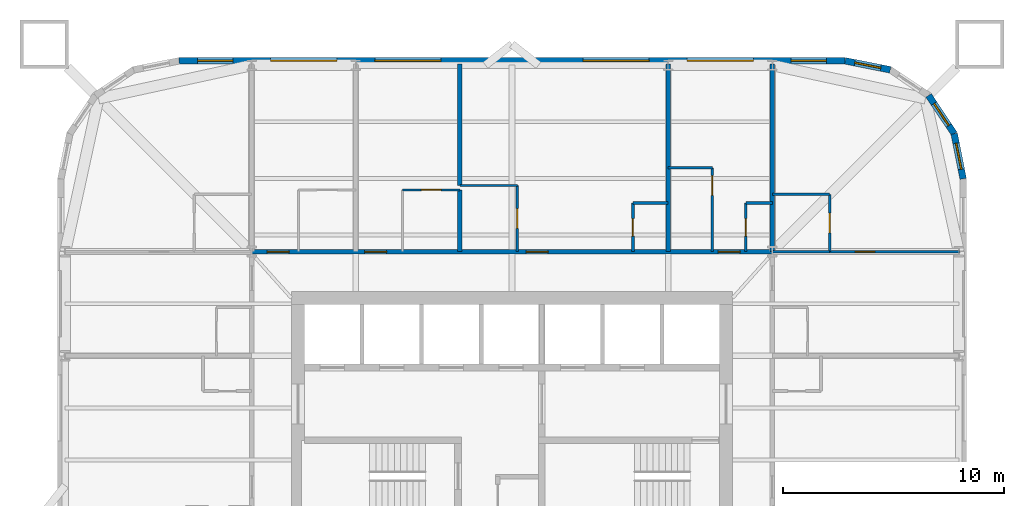
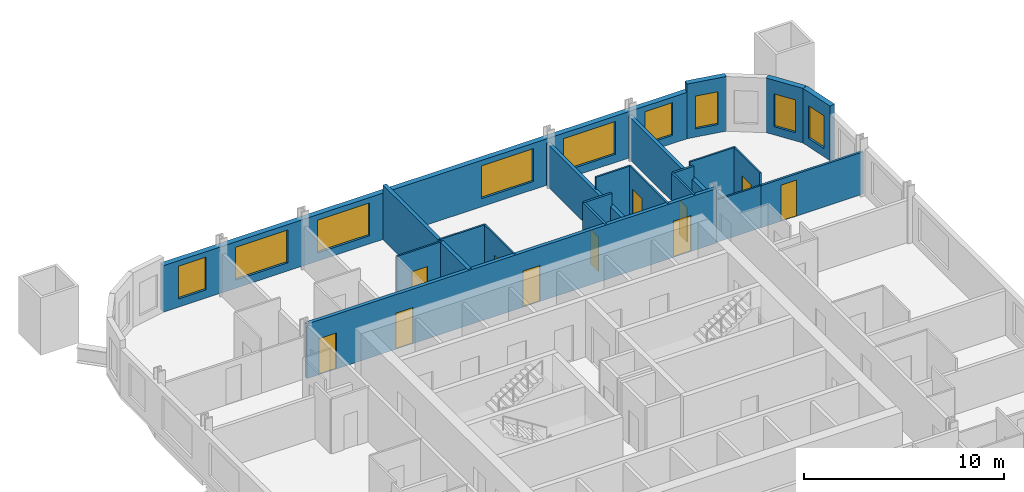
# One storey, part 7 of 9: 22 walls, 11 doors, 9 windows, 20 openings.
"""IFC4 building model written with IfcOpenShell, lengths in metres."""

from ifc_helpers import new_model, si_unit, direction, frame, frame_2d, origin, place, context, subcontext, project, spatial, rectangle, extrude, material, layer, layer_set, type_object, element, fill, save


model = new_model("IFC4")

# Units and contexts
model_context = context("Model", 3, precision=1e-05, world=origin(), true_north=direction((0.0, 1.0)))
body_context = subcontext(model_context, "Body", "Model", "MODEL_VIEW")
ifc_project = project(units=[si_unit("LENGTHUNIT", "METRE"), si_unit("AREAUNIT", "SQUARE_METRE"), si_unit("VOLUMEUNIT", "CUBIC_METRE"), si_unit("PLANEANGLEUNIT", "RADIAN"), si_unit("MASSUNIT", "GRAM", prefix="KILO")], contexts=[model_context])

# Site, building, storey
site_placement = place(None, origin())
site = spatial("IfcSite", under=ifc_project, at=site_placement, CompositionType="ELEMENT")
building_placement = place(site_placement, origin())
building = spatial("IfcBuilding", under=site, at=building_placement, Name="Turquesa Mirador Hotel Tower", CompositionType="ELEMENT")
storey_placement = place(building_placement, frame((0.0, 0.0, 124.89990234375)))
storey = spatial("IfcBuildingStorey", under=building, at=storey_placement, Name="L33", CompositionType="ELEMENT", Elevation=124.89990234375)

# Walls
ifc_material_1 = material(Name="Gypsum board on steel studs", Category="steel")
ifc_layer_1 = layer(ifc_material_1, 0.10009765625)
ifc_layer_set_1 = layer_set([ifc_layer_1], Name="BATHROOM WALL 100")
wall_type_1 = type_object("IfcWallType", Name="BATHROOM WALL 100", PredefinedType="PARTITIONING", material=ifc_layer_set_1)
wall_1_placement = place(storey_placement, frame((66.800048828125, 56.800048828125, 0.0), z_axis=(0.0, 0.0, 1.0), x_axis=(1.0, 0.0, 0.0)))
element("IfcWall", 1, at=wall_1_placement, inside=storey, type_object=wall_type_1, Name="Partition L33 025", PredefinedType="PARTITIONING", context=body_context, shape_type="SweptSolid", body=[
    extrude(rectangle(XDim=2.599853515625, YDim=0.10009765625, at=frame_2d((1.2998046875, 0.0))), origin(), (0.0, 0.0, 1.0), 2.5732421875),
])
wall_2_placement = place(storey_placement, frame((66.800048828125, 59.39990234375, 0.0), z_axis=(0.0, 0.0, 1.0), x_axis=(1.0, 0.0, 0.0)))
element("IfcWall", 2, at=wall_2_placement, inside=storey, type_object=wall_type_1, Name="Partition L33 032", PredefinedType="PARTITIONING", context=body_context, shape_type="SweptSolid", body=[
    extrude(rectangle(XDim=2.599853515625, YDim=0.10009765625, at=frame_2d((1.2998046875, 0.0))), origin(), (0.0, 0.0, 1.0), 3.330078125),
])

# Wall, opening, door
wall_3_placement = place(storey_placement, frame((50.0400390625, 59.60009765625, 0.0), z_axis=(0.0, 0.0, 1.0), x_axis=(1.0, 0.0, 0.0)))
wall_3 = element("IfcWall", 3, at=wall_3_placement, inside=storey, type_object=wall_type_1, Name="Partition L33 034", PredefinedType="PARTITIONING", context=body_context, shape_type="SweptSolid", body=[
    extrude(rectangle(XDim=2.599853515625, YDim=0.10009765625, at=frame_2d((1.2998046875, 0.0))), origin(), (0.0, 0.0, 1.0), 3.330078125),
])
opening_1_placement = place(wall_3_placement, frame((0.85009765625, 0.0, 0.0)))
opening_1 = element("IfcOpeningElement", 4, at=opening_1_placement, cuts=wall_3, Name="Opening D02", PredefinedType="OPENING", context=body_context, shape_type="SweptSolid", body=[
    extrude(rectangle(XDim=0.89990234375, YDim=2.10009765625, at=frame_2d((0.449951171875, 1.050048828125))), frame((0.0, 0.06005859375, 0.0), z_axis=(0.0, -1.0, 0.0), x_axis=(1.0, 0.0, 0.0)), (0.0, 0.0, 1.0), 0.1201171875),
])
ifc_material_2 = material(Name="Timber veneered door", Category="wood")
door_type_1 = type_object("IfcDoorType", Name="DOOR 900X2100 EN-SUITE", OperationType="SINGLE_SWING_RIGHT", PredefinedType="DOOR", material=ifc_material_2)
door_1_placement = place(opening_1_placement, origin())
door_1 = element("IfcDoor", 5, at=door_1_placement, inside=storey, type_object=door_type_1, Name="Door 3302B", OperationType="SINGLE_SWING_RIGHT", OverallHeight=2.10009765625, OverallWidth=0.89990234375, PredefinedType="DOOR", context=body_context, shape_type="SweptSolid", body=[
    extrude(rectangle(XDim=0.89990234375, YDim=2.10009765625, at=frame_2d((0.449951171875, 1.050048828125))), frame((0.0, 0.02490234375, 0.0), z_axis=(0.0, -1.0, 0.0), x_axis=(1.0, 0.0, 0.0)), (0.0, 0.0, 1.0), 0.050048828125),
])
fill(opening_1, door_1)

# Walls
wall_4_placement = place(storey_placement, frame((52.639892578125, 59.800048828125, 0.0), z_axis=(0.0, 0.0, 1.0), x_axis=(1.0, 0.0, 0.0)))
element("IfcWall", 6, at=wall_4_placement, inside=storey, type_object=wall_type_1, Name="Partition L33 035", PredefinedType="PARTITIONING", context=body_context, shape_type="SweptSolid", body=[
    extrude(rectangle(XDim=2.60009765625, YDim=0.10009765625, at=frame_2d((1.300048828125, 0.0))), origin(), (0.0, 0.0, 1.0), 3.330078125),
])
wall_5_placement = place(storey_placement, frame((62.080078125, 60.60009765625, 0.0), z_axis=(0.0, 0.0, 1.0), x_axis=(1.0, 0.0, 0.0)))
element("IfcWall", 7, at=wall_5_placement, inside=storey, type_object=wall_type_1, Name="Partition L33 036", PredefinedType="PARTITIONING", context=body_context, shape_type="SweptSolid", body=[
    extrude(rectangle(XDim=2.0, YDim=0.10009765625, at=frame_2d((1.0, 0.0))), origin(), (0.0, 0.0, 1.0), 3.330078125),
])

# Wall, opening, door
wall_6_placement = place(storey_placement, frame((55.239990234375, 56.800048828125, 0.0), z_axis=(0.0, 0.0, 1.0), x_axis=(0.0, 1.0, 0.0)))
wall_6 = element("IfcWall", 8, at=wall_6_placement, inside=storey, type_object=wall_type_1, Name="Partition L33 063", PredefinedType="PARTITIONING", context=body_context, shape_type="SweptSolid", body=[
    extrude(rectangle(XDim=3.0, YDim=0.10009765625, at=frame_2d((1.5, 0.0))), origin(), (0.0, 0.0, 1.0), 3.330078125),
])
opening_2_placement = place(wall_6_placement, frame((1.050048828125, 0.0, 0.0)))
opening_2 = element("IfcOpeningElement", 9, at=opening_2_placement, cuts=wall_6, Name="Opening D02", PredefinedType="OPENING", context=body_context, shape_type="SweptSolid", body=[
    extrude(rectangle(XDim=0.89990234375, YDim=2.10009765625, at=frame_2d((0.449951171875, 1.050048828125))), frame((0.0, 0.06005859375, 0.0), z_axis=(0.0, -1.0, 0.0), x_axis=(1.0, 0.0, 0.0)), (0.0, 0.0, 1.0), 0.1201171875),
])
door_2_placement = place(opening_2_placement, origin())
door_2 = element("IfcDoor", 10, at=door_2_placement, inside=storey, type_object=door_type_1, Name="Door 3303B", OperationType="SINGLE_SWING_RIGHT", OverallHeight=2.10009765625, OverallWidth=0.89990234375, PredefinedType="DOOR", context=body_context, shape_type="SweptSolid", body=[
    extrude(rectangle(XDim=0.89990234375, YDim=2.10009765625, at=frame_2d((0.449951171875, 1.050048828125))), frame((0.0, 0.02490234375, 0.0), z_axis=(0.0, -1.0, 0.0), x_axis=(1.0, 0.0, 0.0)), (0.0, 0.0, 1.0), 0.050048828125),
])
fill(opening_2, door_2)

wall_7_placement = place(storey_placement, frame((69.39990234375, 56.800048828125, 0.0), z_axis=(0.0, 0.0, 1.0), x_axis=(0.0, 1.0, 0.0)))
wall_7 = element("IfcWall", 11, at=wall_7_placement, inside=storey, type_object=wall_type_1, Name="Partition L33 072", PredefinedType="PARTITIONING", context=body_context, shape_type="SweptSolid", body=[
    extrude(rectangle(XDim=2.599853515625, YDim=0.10009765625, at=frame_2d((1.2998046875, 0.0))), origin(), (0.0, 0.0, 1.0), 3.330078125),
])
opening_3_placement = place(wall_7_placement, frame((0.85009765625, 0.0, 0.0)))
opening_3 = element("IfcOpeningElement", 12, at=opening_3_placement, cuts=wall_7, Name="Opening D02", PredefinedType="OPENING", context=body_context, shape_type="SweptSolid", body=[
    extrude(rectangle(XDim=0.89990234375, YDim=2.10009765625, at=frame_2d((0.449951171875, 1.050048828125))), frame((0.0, 0.06005859375, 0.0), z_axis=(0.0, -1.0, 0.0), x_axis=(1.0, 0.0, 0.0)), (0.0, 0.0, 1.0), 0.1201171875),
])
door_3_placement = place(opening_3_placement, origin())
door_3 = element("IfcDoor", 13, at=door_3_placement, inside=storey, type_object=door_type_1, Name="Door 3311B", OperationType="SINGLE_SWING_RIGHT", OverallHeight=2.10009765625, OverallWidth=0.89990234375, PredefinedType="DOOR", context=body_context, shape_type="SweptSolid", body=[
    extrude(rectangle(XDim=0.89990234375, YDim=2.10009765625, at=frame_2d((0.449951171875, 1.050048828125))), frame((0.0, 0.02490234375, 0.0), z_axis=(0.0, -1.0, 0.0), x_axis=(1.0, 0.0, 0.0)), (0.0, 0.0, 1.0), 0.050048828125),
])
fill(opening_3, door_3)

wall_8_placement = place(storey_placement, frame((64.080078125, 56.800048828125, 0.0), z_axis=(0.0, 0.0, 1.0), x_axis=(0.0, 1.0, 0.0)))
wall_8 = element("IfcWall", 14, at=wall_8_placement, inside=storey, type_object=wall_type_1, Name="Partition L33 078", PredefinedType="PARTITIONING", context=body_context, shape_type="SweptSolid", body=[
    extrude(rectangle(XDim=3.800048828125, YDim=0.10009765625, at=frame_2d((1.89990234375, 0.0))), origin(), (0.0, 0.0, 1.0), 3.330078125),
])
opening_4_placement = place(wall_8_placement, frame((2.550048828125, 0.0, 0.0)))
opening_4 = element("IfcOpeningElement", 15, at=opening_4_placement, cuts=wall_8, Name="Opening D02", PredefinedType="OPENING", context=body_context, shape_type="SweptSolid", body=[
    extrude(rectangle(XDim=0.89990234375, YDim=2.10009765625, at=frame_2d((0.449951171875, 1.050048828125))), frame((0.0, 0.06005859375, 0.0), z_axis=(0.0, -1.0, 0.0), x_axis=(1.0, 0.0, 0.0)), (0.0, 0.0, 1.0), 0.1201171875),
])
door_4_placement = place(opening_4_placement, origin())
door_4 = element("IfcDoor", 16, at=door_4_placement, inside=storey, type_object=door_type_1, Name="Door 3304B", OperationType="SINGLE_SWING_RIGHT", OverallHeight=2.10009765625, OverallWidth=0.89990234375, PredefinedType="DOOR", context=body_context, shape_type="SweptSolid", body=[
    extrude(rectangle(XDim=0.89990234375, YDim=2.10009765625, at=frame_2d((0.449951171875, 1.050048828125))), frame((0.0, 0.02490234375, 0.0), z_axis=(0.0, -1.0, 0.0), x_axis=(1.0, 0.0, 0.0)), (0.0, 0.0, 1.0), 0.050048828125),
])
fill(opening_4, door_4)

# Wall, openings, doors
ifc_material_3 = material(Name="Fire-rated gypsum board on steel studs", Category="steel")
ifc_layer_2 = layer(ifc_material_3, 0.199951171875)
ifc_layer_set_2 = layer_set([ifc_layer_2], Name="CORRIDOR WALL 200")
wall_type_2 = type_object("IfcWallType", Name="CORRIDOR WALL 200", PredefinedType="PARTITIONING", material=ifc_layer_set_2)
wall_9_placement = place(storey_placement, frame((43.199951171875, 56.800048828125, 0.0), z_axis=(0.0, 0.0, 1.0), x_axis=(1.0, 0.0, 0.0)))
wall_9 = element("IfcWall", 17, at=wall_9_placement, inside=storey, type_object=wall_type_2, Name="Partition L33 026", PredefinedType="PARTITIONING", context=body_context, shape_type="SweptSolid", body=[
    extrude(rectangle(XDim=23.60009765625, YDim=0.199951171875, at=frame_2d((11.800048828125, 0.0))), origin(), (0.0, 0.0, 1.0), 3.330078125),
])
opening_5_placement = place(wall_9_placement, frame((0.699951171875, 0.0, 0.0)))
opening_5 = element("IfcOpeningElement", 18, at=opening_5_placement, cuts=wall_9, Name="Opening D01", PredefinedType="OPENING", context=body_context, shape_type="SweptSolid", body=[
    extrude(rectangle(XDim=1.0, YDim=2.199951171875, at=frame_2d((0.5, 1.10009765625))), frame((0.0, 0.10986328125, 0.0), z_axis=(0.0, -1.0, 0.0), x_axis=(1.0, 0.0, 0.0)), (0.0, 0.0, 1.0), 0.219970703125),
])
opening_6_placement = place(wall_9_placement, frame((5.1201171875, 0.0, 0.0)))
opening_6 = element("IfcOpeningElement", 19, at=opening_6_placement, cuts=wall_9, Name="Opening D01", PredefinedType="OPENING", context=body_context, shape_type="SweptSolid", body=[
    extrude(rectangle(XDim=1.0, YDim=2.199951171875, at=frame_2d((0.5, 1.10009765625))), frame((0.0, 0.10986328125, 0.0), z_axis=(0.0, -1.0, 0.0), x_axis=(1.0, 0.0, 0.0)), (0.0, 0.0, 1.0), 0.219970703125),
])
opening_7_placement = place(wall_9_placement, frame((12.43994140625, 0.0, 0.0)))
opening_7 = element("IfcOpeningElement", 20, at=opening_7_placement, cuts=wall_9, Name="Opening D01", PredefinedType="OPENING", context=body_context, shape_type="SweptSolid", body=[
    extrude(rectangle(XDim=1.0, YDim=2.199951171875, at=frame_2d((0.5, 1.10009765625))), frame((0.0, 0.10986328125, 0.0), z_axis=(0.0, -1.0, 0.0), x_axis=(1.0, 0.0, 0.0)), (0.0, 0.0, 1.0), 0.219970703125),
])
opening_8_placement = place(wall_9_placement, frame((21.139892578125, 0.0, 0.0)))
opening_8 = element("IfcOpeningElement", 21, at=opening_8_placement, cuts=wall_9, Name="Opening D01", PredefinedType="OPENING", context=body_context, shape_type="SweptSolid", body=[
    extrude(rectangle(XDim=1.0, YDim=2.199951171875, at=frame_2d((0.5, 1.10009765625))), frame((0.0, 0.10986328125, 0.0), z_axis=(0.0, -1.0, 0.0), x_axis=(1.0, 0.0, 0.0)), (0.0, 0.0, 1.0), 0.219970703125),
])
ifc_material_4 = material(Name="Timber veneered fire door", Category="wood")
door_type_2 = type_object("IfcDoorType", Name="DOOR 1000X2200 GUEST ENTRY", OperationType="SINGLE_SWING_LEFT", PredefinedType="DOOR", material=ifc_material_4)
door_5_placement = place(opening_5_placement, origin())
door_5 = element("IfcDoor", 22, at=door_5_placement, inside=storey, type_object=door_type_2, Name="Door 3301", OperationType="SINGLE_SWING_LEFT", OverallHeight=2.199951171875, OverallWidth=1.0, PredefinedType="DOOR", context=body_context, shape_type="SweptSolid", body=[
    extrude(rectangle(XDim=1.0, YDim=2.199951171875, at=frame_2d((0.5, 1.10009765625))), frame((0.0, 0.02490234375, 0.0), z_axis=(0.0, -1.0, 0.0), x_axis=(1.0, 0.0, 0.0)), (0.0, 0.0, 1.0), 0.050048828125),
])
fill(opening_5, door_5)
door_6_placement = place(opening_6_placement, origin())
door_6 = element("IfcDoor", 23, at=door_6_placement, inside=storey, type_object=door_type_2, Name="Door 3302", OperationType="SINGLE_SWING_LEFT", OverallHeight=2.199951171875, OverallWidth=1.0, PredefinedType="DOOR", context=body_context, shape_type="SweptSolid", body=[
    extrude(rectangle(XDim=1.0, YDim=2.199951171875, at=frame_2d((0.5, 1.10009765625))), frame((0.0, 0.02490234375, 0.0), z_axis=(0.0, -1.0, 0.0), x_axis=(1.0, 0.0, 0.0)), (0.0, 0.0, 1.0), 0.050048828125),
])
fill(opening_6, door_6)
door_7_placement = place(opening_7_placement, origin())
door_7 = element("IfcDoor", 24, at=door_7_placement, inside=storey, type_object=door_type_2, Name="Door 3303", OperationType="SINGLE_SWING_LEFT", OverallHeight=2.199951171875, OverallWidth=1.0, PredefinedType="DOOR", context=body_context, shape_type="SweptSolid", body=[
    extrude(rectangle(XDim=1.0, YDim=2.199951171875, at=frame_2d((0.5, 1.10009765625))), frame((0.0, 0.02490234375, 0.0), z_axis=(0.0, -1.0, 0.0), x_axis=(1.0, 0.0, 0.0)), (0.0, 0.0, 1.0), 0.050048828125),
])
fill(opening_7, door_7)
door_8_placement = place(opening_8_placement, origin())
door_8 = element("IfcDoor", 25, at=door_8_placement, inside=storey, type_object=door_type_2, Name="Door 3304", OperationType="SINGLE_SWING_LEFT", OverallHeight=2.199951171875, OverallWidth=1.0, PredefinedType="DOOR", context=body_context, shape_type="SweptSolid", body=[
    extrude(rectangle(XDim=1.0, YDim=2.199951171875, at=frame_2d((0.5, 1.10009765625))), frame((0.0, 0.02490234375, 0.0), z_axis=(0.0, -1.0, 0.0), x_axis=(1.0, 0.0, 0.0)), (0.0, 0.0, 1.0), 0.050048828125),
])
fill(opening_8, door_8)

# Wall, opening, window
ifc_material_5 = material(Name="Limestone cladding on concrete block", Category="masonry")
ifc_layer_3 = layer(ifc_material_5, 0.300048828125)
ifc_layer_set_3 = layer_set([ifc_layer_3], Name="FACADE WALL 300 STONE SCREEN")
wall_type_3 = type_object("IfcWallType", Name="FACADE WALL 300 STONE SCREEN", PredefinedType="SOLIDWALL", material=ifc_layer_set_3)
wall_10_placement = place(storey_placement, frame((75.449951171875, 60.10009765625, 0.0), z_axis=(0.0, 0.0, 1.0), x_axis=(-0.195081421501, 0.980787050784, 0.0)))
wall_10 = element("IfcWall", 26, at=wall_10_placement, inside=storey, type_object=wall_type_3, Name="Facade wall L33 05", PredefinedType="SOLIDWALL", context=body_context, shape_type="SweptSolid", body=[
    extrude(rectangle(XDim=2.08740234375, YDim=0.300048828125, at=frame_2d((1.043701171875, 0.0))), origin(), (0.0, 0.0, 1.0), 3.330078125),
])
opening_9_placement = place(wall_10_placement, frame((0.443603515625, 0.0, 0.5)))
opening_9 = element("IfcOpeningElement", 27, at=opening_9_placement, cuts=wall_10, Name="Opening WN4", PredefinedType="OPENING", context=body_context, shape_type="SweptSolid", body=[
    extrude(rectangle(XDim=1.199951171875, YDim=2.0, at=frame_2d((0.60009765625, 1.0))), frame((0.0, 0.159912109375, 0.0), z_axis=(0.0, -1.0, 0.0), x_axis=(1.0, 0.0, 0.0)), (0.0, 0.0, 1.0), 0.320068359375),
])
ifc_material_6 = material(Name="Ceramic-fritted laminated glass", Category="glass")
window_type_1 = type_object("IfcWindowType", Name="FRITTED CORNER WINDOW 1200X2000", PartitioningType="DOUBLE_PANEL_HORIZONTAL", PredefinedType="WINDOW", material=ifc_material_6)
window_1_placement = place(opening_9_placement, origin())
window_1 = element("IfcWindow", 28, at=window_1_placement, inside=storey, type_object=window_type_1, Name="Window L33", OverallHeight=2.0, OverallWidth=1.199951171875, PartitioningType="SINGLE_PANEL", PredefinedType="WINDOW", context=body_context, shape_type="SweptSolid", body=[
    extrude(rectangle(XDim=1.199951171875, YDim=2.0, at=frame_2d((0.60009765625, 1.0))), frame((0.0, 0.030029296875, 0.0), z_axis=(0.0, -1.0, 0.0), x_axis=(1.0, 0.0, 0.0)), (0.0, 0.0, 1.0), 0.06005859375),
])
fill(opening_9, window_1)

wall_11_placement = place(storey_placement, frame((75.042724609375, 62.1474609375, 0.0), z_axis=(0.0, 0.0, 1.0), x_axis=(-0.555563607591, 0.831474039234, 0.0)))
wall_11 = element("IfcWall", 29, at=wall_11_placement, inside=storey, type_object=wall_type_3, Name="Facade wall L33 06", PredefinedType="SOLIDWALL", context=body_context, shape_type="SweptSolid", body=[
    extrude(rectangle(XDim=2.08740234375, YDim=0.300048828125, at=frame_2d((1.043701171875, 0.0))), origin(), (0.0, 0.0, 1.0), 3.330078125),
])
opening_10_placement = place(wall_11_placement, frame((0.443603515625, 0.0, 0.5)))
opening_10 = element("IfcOpeningElement", 30, at=opening_10_placement, cuts=wall_11, Name="Opening WN4", PredefinedType="OPENING", context=body_context, shape_type="SweptSolid", body=[
    extrude(rectangle(XDim=1.199951171875, YDim=2.0, at=frame_2d((0.60009765625, 1.0))), frame((0.0, 0.159912109375, 0.0), z_axis=(0.0, -1.0, 0.0), x_axis=(1.0, 0.0, 0.0)), (0.0, 0.0, 1.0), 0.320068359375),
])
window_2_placement = place(opening_10_placement, origin())
window_2 = element("IfcWindow", 31, at=window_2_placement, inside=storey, type_object=window_type_1, Name="Window L33", OverallHeight=2.0, OverallWidth=1.199951171875, PartitioningType="SINGLE_PANEL", PredefinedType="WINDOW", context=body_context, shape_type="SweptSolid", body=[
    extrude(rectangle(XDim=1.199951171875, YDim=2.0, at=frame_2d((0.60009765625, 1.0))), frame((0.0, 0.030029296875, 0.0), z_axis=(0.0, -1.0, 0.0), x_axis=(1.0, 0.0, 0.0)), (0.0, 0.0, 1.0), 0.06005859375),
])
fill(opening_10, window_2)

wall_12_placement = place(storey_placement, frame((72.1474609375, 65.042724609375, 0.0), z_axis=(0.0, 0.0, 1.0), x_axis=(-0.980787050784, 0.195081421501, 0.0)))
wall_12 = element("IfcWall", 32, at=wall_12_placement, inside=storey, type_object=wall_type_3, Name="Facade wall L33 08", PredefinedType="SOLIDWALL", context=body_context, shape_type="SweptSolid", body=[
    extrude(rectangle(XDim=2.08740234375, YDim=0.300048828125, at=frame_2d((1.043701171875, 0.0))), origin(), (0.0, 0.0, 1.0), 3.330078125),
])
opening_11_placement = place(wall_12_placement, frame((0.443603515625, 0.0, 0.5)))
opening_11 = element("IfcOpeningElement", 33, at=opening_11_placement, cuts=wall_12, Name="Opening WN4", PredefinedType="OPENING", context=body_context, shape_type="SweptSolid", body=[
    extrude(rectangle(XDim=1.199951171875, YDim=2.0, at=frame_2d((0.60009765625, 1.0))), frame((0.0, 0.159912109375, 0.0), z_axis=(0.0, -1.0, 0.0), x_axis=(1.0, 0.0, 0.0)), (0.0, 0.0, 1.0), 0.320068359375),
])
window_3_placement = place(opening_11_placement, origin())
window_3 = element("IfcWindow", 34, at=window_3_placement, inside=storey, type_object=window_type_1, Name="Window L33", OverallHeight=2.0, OverallWidth=1.199951171875, PartitioningType="SINGLE_PANEL", PredefinedType="WINDOW", context=body_context, shape_type="SweptSolid", body=[
    extrude(rectangle(XDim=1.199951171875, YDim=2.0, at=frame_2d((0.60009765625, 1.0))), frame((0.0, 0.030029296875, 0.0), z_axis=(0.0, -1.0, 0.0), x_axis=(1.0, 0.0, 0.0)), (0.0, 0.0, 1.0), 0.06005859375),
])
fill(opening_11, window_3)

# Wall, openings, windows
wall_13_placement = place(storey_placement, frame((70.10009765625, 65.449951171875, 0.0), z_axis=(0.0, 0.0, 1.0), x_axis=(-1.0, 0.0, 0.0)))
wall_13 = element("IfcWall", 35, at=wall_13_placement, inside=storey, type_object=wall_type_3, Name="Facade wall L33 09", PredefinedType="SOLIDWALL", context=body_context, shape_type="SweptSolid", body=[
    extrude(rectangle(XDim=30.2001953125, YDim=0.300048828125, at=frame_2d((15.10009765625, 0.0))), origin(), (0.0, 0.0, 1.0), 2.830078125),
])
opening_12_placement = place(wall_13_placement, frame((0.85009765625, 0.0, 0.5)))
opening_12 = element("IfcOpeningElement", 36, at=opening_12_placement, cuts=wall_13, Name="Opening WN3", PredefinedType="OPENING", context=body_context, shape_type="SweptSolid", body=[
    extrude(rectangle(XDim=1.60009765625, YDim=2.0, at=frame_2d((0.800048828125, 1.0))), frame((0.0, 0.159912109375, 0.0), z_axis=(0.0, -1.0, 0.0), x_axis=(1.0, 0.0, 0.0)), (0.0, 0.0, 1.0), 0.320068359375),
])
opening_13_placement = place(wall_13_placement, frame((4.159912109375, 0.0, 0.5)))
opening_13 = element("IfcOpeningElement", 37, at=opening_13_placement, cuts=wall_13, Name="Opening WN1", PredefinedType="OPENING", context=body_context, shape_type="SweptSolid", body=[
    extrude(rectangle(XDim=3.0, YDim=2.0, at=frame_2d((1.5, 1.0))), frame((0.0, 0.159912109375, 0.0), z_axis=(0.0, -1.0, 0.0), x_axis=(1.0, 0.0, 0.0)), (0.0, 0.0, 1.0), 0.320068359375),
])
opening_14_placement = place(wall_13_placement, frame((8.8798828125, 0.0, 0.5)))
opening_14 = element("IfcOpeningElement", 38, at=opening_14_placement, cuts=wall_13, Name="Opening WN1", PredefinedType="OPENING", context=body_context, shape_type="SweptSolid", body=[
    extrude(rectangle(XDim=3.0, YDim=2.0, at=frame_2d((1.5, 1.0))), frame((0.0, 0.159912109375, 0.0), z_axis=(0.0, -1.0, 0.0), x_axis=(1.0, 0.0, 0.0)), (0.0, 0.0, 1.0), 0.320068359375),
])
opening_15_placement = place(wall_13_placement, frame((18.320068359375, 0.0, 0.5)))
opening_15 = element("IfcOpeningElement", 39, at=opening_15_placement, cuts=wall_13, Name="Opening WN1", PredefinedType="OPENING", context=body_context, shape_type="SweptSolid", body=[
    extrude(rectangle(XDim=3.0, YDim=2.0, at=frame_2d((1.5, 1.0))), frame((0.0, 0.159912109375, 0.0), z_axis=(0.0, -1.0, 0.0), x_axis=(1.0, 0.0, 0.0)), (0.0, 0.0, 1.0), 0.320068359375),
])
opening_16_placement = place(wall_13_placement, frame((23.0400390625, 0.0, 0.5)))
opening_16 = element("IfcOpeningElement", 40, at=opening_16_placement, cuts=wall_13, Name="Opening WN1", PredefinedType="OPENING", context=body_context, shape_type="SweptSolid", body=[
    extrude(rectangle(XDim=3.0, YDim=2.0, at=frame_2d((1.5, 1.0))), frame((0.0, 0.159912109375, 0.0), z_axis=(0.0, -1.0, 0.0), x_axis=(1.0, 0.0, 0.0)), (0.0, 0.0, 1.0), 0.320068359375),
])
opening_17_placement = place(wall_13_placement, frame((27.75, 0.0, 0.5)))
opening_17 = element("IfcOpeningElement", 41, at=opening_17_placement, cuts=wall_13, Name="Opening WN3", PredefinedType="OPENING", context=body_context, shape_type="SweptSolid", body=[
    extrude(rectangle(XDim=1.60009765625, YDim=2.0, at=frame_2d((0.800048828125, 1.0))), frame((0.0, 0.159912109375, 0.0), z_axis=(0.0, -1.0, 0.0), x_axis=(1.0, 0.0, 0.0)), (0.0, 0.0, 1.0), 0.320068359375),
])
ifc_material_7 = material(Name="Ceramic-fritted laminated glass", Category="glass")
window_type_2 = type_object("IfcWindowType", Name="FRITTED WINDOW 1600X2000", PartitioningType="DOUBLE_PANEL_HORIZONTAL", PredefinedType="WINDOW", material=ifc_material_7)
window_4_placement = place(opening_12_placement, origin())
window_4 = element("IfcWindow", 42, at=window_4_placement, inside=storey, type_object=window_type_2, Name="Window L33", OverallHeight=2.0, OverallWidth=1.60009765625, PartitioningType="SINGLE_PANEL", PredefinedType="WINDOW", context=body_context, shape_type="SweptSolid", body=[
    extrude(rectangle(XDim=1.60009765625, YDim=2.0, at=frame_2d((0.800048828125, 1.0))), frame((0.0, 0.030029296875, 0.0), z_axis=(0.0, -1.0, 0.0), x_axis=(1.0, 0.0, 0.0)), (0.0, 0.0, 1.0), 0.06005859375),
])
fill(opening_12, window_4)
window_5_placement = place(opening_17_placement, origin())
window_5 = element("IfcWindow", 43, at=window_5_placement, inside=storey, type_object=window_type_2, Name="Window L33", OverallHeight=2.0, OverallWidth=1.60009765625, PartitioningType="SINGLE_PANEL", PredefinedType="WINDOW", context=body_context, shape_type="SweptSolid", body=[
    extrude(rectangle(XDim=1.60009765625, YDim=2.0, at=frame_2d((0.800048828125, 1.0))), frame((0.0, 0.030029296875, 0.0), z_axis=(0.0, -1.0, 0.0), x_axis=(1.0, 0.0, 0.0)), (0.0, 0.0, 1.0), 0.06005859375),
])
fill(opening_17, window_5)
ifc_material_8 = material(Name="Ceramic-fritted laminated glass", Category="glass")
window_type_3 = type_object("IfcWindowType", Name="FRITTED WINDOW 3000X2000", PartitioningType="DOUBLE_PANEL_HORIZONTAL", PredefinedType="WINDOW", material=ifc_material_8)
window_6_placement = place(opening_13_placement, origin())
window_6 = element("IfcWindow", 44, at=window_6_placement, inside=storey, type_object=window_type_3, Name="Window L33", OverallHeight=2.0, OverallWidth=3.0, PartitioningType="SINGLE_PANEL", PredefinedType="WINDOW", context=body_context, shape_type="SweptSolid", body=[
    extrude(rectangle(XDim=3.0, YDim=2.0, at=frame_2d((1.5, 1.0))), frame((0.0, 0.030029296875, 0.0), z_axis=(0.0, -1.0, 0.0), x_axis=(1.0, 0.0, 0.0)), (0.0, 0.0, 1.0), 0.06005859375),
])
fill(opening_13, window_6)
window_7_placement = place(opening_14_placement, origin())
window_7 = element("IfcWindow", 45, at=window_7_placement, inside=storey, type_object=window_type_3, Name="Window L33", OverallHeight=2.0, OverallWidth=3.0, PartitioningType="SINGLE_PANEL", PredefinedType="WINDOW", context=body_context, shape_type="SweptSolid", body=[
    extrude(rectangle(XDim=3.0, YDim=2.0, at=frame_2d((1.5, 1.0))), frame((0.0, 0.030029296875, 0.0), z_axis=(0.0, -1.0, 0.0), x_axis=(1.0, 0.0, 0.0)), (0.0, 0.0, 1.0), 0.06005859375),
])
fill(opening_14, window_7)
window_8_placement = place(opening_15_placement, origin())
window_8 = element("IfcWindow", 46, at=window_8_placement, inside=storey, type_object=window_type_3, Name="Window L33", OverallHeight=2.0, OverallWidth=3.0, PartitioningType="SINGLE_PANEL", PredefinedType="WINDOW", context=body_context, shape_type="SweptSolid", body=[
    extrude(rectangle(XDim=3.0, YDim=2.0, at=frame_2d((1.5, 1.0))), frame((0.0, 0.030029296875, 0.0), z_axis=(0.0, -1.0, 0.0), x_axis=(1.0, 0.0, 0.0)), (0.0, 0.0, 1.0), 0.06005859375),
])
fill(opening_15, window_8)
window_9_placement = place(opening_16_placement, origin())
window_9 = element("IfcWindow", 47, at=window_9_placement, inside=storey, type_object=window_type_3, Name="Window L33", OverallHeight=2.0, OverallWidth=3.0, PartitioningType="SINGLE_PANEL", PredefinedType="WINDOW", context=body_context, shape_type="SweptSolid", body=[
    extrude(rectangle(XDim=3.0, YDim=2.0, at=frame_2d((1.5, 1.0))), frame((0.0, 0.030029296875, 0.0), z_axis=(0.0, -1.0, 0.0), x_axis=(1.0, 0.0, 0.0)), (0.0, 0.0, 1.0), 0.06005859375),
])
fill(opening_16, window_9)

# Walls
ifc_material_9 = material(Name="Fire-rated gypsum board on steel studs", Category="steel")
ifc_layer_4 = layer(ifc_material_9, 0.199951171875)
ifc_layer_set_4 = layer_set([ifc_layer_4], Name="PARTY WALL 200")
wall_type_4 = type_object("IfcWallType", Name="PARTY WALL 200", PredefinedType="PARTITIONING", material=ifc_layer_set_4)
wall_14_placement = place(storey_placement, frame((52.639892578125, 56.800048828125, 0.0), z_axis=(0.0, 0.0, 1.0), x_axis=(0.0, 1.0, 0.0)))
element("IfcWall", 48, at=wall_14_placement, inside=storey, type_object=wall_type_4, Name="Partition L33 056", PredefinedType="PARTITIONING", context=body_context, shape_type="SweptSolid", body=[
    extrude(rectangle(XDim=2.800048828125, YDim=0.199951171875, at=frame_2d((1.39990234375, 0.0))), origin(), (0.0, 0.0, 1.0), 3.330078125),
])
wall_15_placement = place(storey_placement, frame((52.639892578125, 59.800048828125, 0.0), z_axis=(0.0, 0.0, 1.0), x_axis=(0.0, 1.0, 0.0)))
element("IfcWall", 49, at=wall_15_placement, inside=storey, type_object=wall_type_4, Name="Partition L33 057", PredefinedType="PARTITIONING", context=body_context, shape_type="SweptSolid", body=[
    extrude(rectangle(XDim=5.5, YDim=0.199951171875, at=frame_2d((2.75, 0.0))), origin(), (0.0, 0.0, 1.0), 3.330078125),
])
for number, where, z_axis, x_axis, name in (
    (50, (66.800048828125, 56.800048828125, 0.0), (0.0, 0.0, 1.0), (0.0, 1.0, 0.0), "Partition L33 067"),
    (51, (62.080078125, 56.800048828125, 0.0), (0.0, 0.0, 1.0), (0.0, 1.0, 0.0), "Partition L33 076"),
):
    element("IfcWall", number, at=place(storey_placement, frame(where, z_axis=z_axis, x_axis=x_axis)), inside=storey, type_object=wall_type_4, Name=name, PredefinedType="PARTITIONING", context=body_context, shape_type="SweptSolid", body=[
        extrude(rectangle(XDim=8.5, YDim=0.199951171875, at=frame_2d((4.25, 0.0))), origin(), (0.0, 0.0, 1.0), 2.5732421875),
    ])

# Wall, opening, door
ifc_material_10 = material(Name="Acoustic gypsum board on steel studs", Category="steel")
ifc_layer_5 = layer(ifc_material_10, 0.125)
ifc_layer_set_5 = layer_set([ifc_layer_5], Name="SUITE PARTITION 125")
wall_type_5 = type_object("IfcWallType", Name="SUITE PARTITION 125", PredefinedType="PARTITIONING", material=ifc_layer_set_5)
wall_16_placement = place(storey_placement, frame((69.39990234375, 56.800048828125, 0.0), z_axis=(0.0, 0.0, 1.0), x_axis=(1.0, 0.0, 0.0)))
wall_16 = element("IfcWall", 52, at=wall_16_placement, inside=storey, type_object=wall_type_5, Name="Partition L33 028", PredefinedType="PARTITIONING", context=body_context, shape_type="SweptSolid", body=[
    extrude(rectangle(XDim=5.900146484375, YDim=0.125, at=frame_2d((2.9501953125, 0.0))), origin(), (0.0, 0.0, 1.0), 2.5732421875),
])
opening_18_placement = place(wall_16_placement, frame((1.14990234375, 0.0, 0.0)))
opening_18 = element("IfcOpeningElement", 53, at=opening_18_placement, cuts=wall_16, Name="Opening D17", PredefinedType="OPENING", context=body_context, shape_type="SweptSolid", body=[
    extrude(rectangle(XDim=0.89990234375, YDim=2.199951171875, at=frame_2d((0.449951171875, 1.10009765625))), frame((0.0, 0.072509765625, 0.0), z_axis=(0.0, -1.0, 0.0), x_axis=(1.0, 0.0, 0.0)), (0.0, 0.0, 1.0), 0.14501953125),
])
ifc_material_11 = material(Name="Timber veneered door", Category="wood")
door_type_3 = type_object("IfcDoorType", Name="DOOR 900X2200 SUITE INTERNAL", OperationType="SINGLE_SWING_LEFT", PredefinedType="DOOR", material=ifc_material_11)
door_9_placement = place(opening_18_placement, origin())
door_9 = element("IfcDoor", 54, at=door_9_placement, inside=storey, type_object=door_type_3, Name="Door 3311R", OperationType="SINGLE_SWING_LEFT", OverallHeight=2.199951171875, OverallWidth=0.89990234375, PredefinedType="DOOR", context=body_context, shape_type="SweptSolid", body=[
    extrude(rectangle(XDim=0.89990234375, YDim=2.199951171875, at=frame_2d((0.449951171875, 1.10009765625))), frame((0.0, 0.02490234375, 0.0), z_axis=(0.0, -1.0, 0.0), x_axis=(1.0, 0.0, 0.0)), (0.0, 0.0, 1.0), 0.050048828125),
])
fill(opening_18, door_9)

# Walls
wall_17_placement = place(storey_placement, frame((60.47998046875, 59.0, 0.0), z_axis=(0.0, 0.0, 1.0), x_axis=(1.0, 0.0, 0.0)))
element("IfcWall", 55, at=wall_17_placement, inside=storey, type_object=wall_type_5, Name="Partition L33 029", PredefinedType="PARTITIONING", context=body_context, shape_type="SweptSolid", body=[
    extrude(rectangle(XDim=1.60009765625, YDim=0.125, at=frame_2d((0.800048828125, 0.0))), origin(), (0.0, 0.0, 1.0), 3.330078125),
])
wall_18_placement = place(storey_placement, frame((65.60009765625, 59.0, 0.0), z_axis=(0.0, 0.0, 1.0), x_axis=(1.0, 0.0, 0.0)))
element("IfcWall", 56, at=wall_18_placement, inside=storey, type_object=wall_type_5, Name="Partition L33 030", PredefinedType="PARTITIONING", context=body_context, shape_type="SweptSolid", body=[
    extrude(rectangle(XDim=1.199951171875, YDim=0.125, at=frame_2d((0.60009765625, 0.0))), origin(), (0.0, 0.0, 1.0), 3.330078125),
])

# Wall, opening, door
wall_19_placement = place(storey_placement, frame((65.60009765625, 56.800048828125, 0.0), z_axis=(0.0, 0.0, 1.0), x_axis=(0.0, 1.0, 0.0)))
wall_19 = element("IfcWall", 57, at=wall_19_placement, inside=storey, type_object=wall_type_5, Name="Partition L33 064", PredefinedType="PARTITIONING", context=body_context, shape_type="SweptSolid", body=[
    extrude(rectangle(XDim=2.199951171875, YDim=0.125, at=frame_2d((1.10009765625, 0.0))), origin(), (0.0, 0.0, 1.0), 3.330078125),
])
opening_19_placement = place(wall_19_placement, frame((0.699951171875, 0.0, 0.0)))
opening_19 = element("IfcOpeningElement", 58, at=opening_19_placement, cuts=wall_19, Name="Opening D20", PredefinedType="OPENING", context=body_context, shape_type="SweptSolid", body=[
    extrude(rectangle(XDim=0.800048828125, YDim=2.10009765625, at=frame_2d((0.39990234375, 1.050048828125))), frame((0.0, 0.072509765625, 0.0), z_axis=(0.0, -1.0, 0.0), x_axis=(1.0, 0.0, 0.0)), (0.0, 0.0, 1.0), 0.14501953125),
])
ifc_material_12 = material(Name="Timber veneered sliding door", Category="wood")
door_type_4 = type_object("IfcDoorType", Name="DOOR 800X2100 WARDROBE", OperationType="SLIDING_TO_LEFT", PredefinedType="DOOR", material=ifc_material_12)
door_10_placement = place(opening_19_placement, origin())
door_10 = element("IfcDoor", 59, at=door_10_placement, inside=storey, type_object=door_type_4, Name="Door 3304W", OperationType="SLIDING_TO_LEFT", OverallHeight=2.10009765625, OverallWidth=0.800048828125, PredefinedType="DOOR", context=body_context, shape_type="SweptSolid", body=[
    extrude(rectangle(XDim=0.800048828125, YDim=2.10009765625, at=frame_2d((0.39990234375, 1.050048828125))), frame((0.0, 0.02490234375, 0.0), z_axis=(0.0, -1.0, 0.0), x_axis=(1.0, 0.0, 0.0)), (0.0, 0.0, 1.0), 0.050048828125),
])
fill(opening_19, door_10)

wall_20_placement = place(storey_placement, frame((60.47998046875, 56.800048828125, 0.0), z_axis=(0.0, 0.0, 1.0), x_axis=(0.0, 1.0, 0.0)))
wall_20 = element("IfcWall", 60, at=wall_20_placement, inside=storey, type_object=wall_type_5, Name="Partition L33 075", PredefinedType="PARTITIONING", context=body_context, shape_type="SweptSolid", body=[
    extrude(rectangle(XDim=2.199951171875, YDim=0.125, at=frame_2d((1.10009765625, 0.0))), origin(), (0.0, 0.0, 1.0), 3.330078125),
])
opening_20_placement = place(wall_20_placement, frame((0.699951171875, 0.0, 0.0)))
opening_20 = element("IfcOpeningElement", 61, at=opening_20_placement, cuts=wall_20, Name="Opening D20", PredefinedType="OPENING", context=body_context, shape_type="SweptSolid", body=[
    extrude(rectangle(XDim=0.800048828125, YDim=2.10009765625, at=frame_2d((0.39990234375, 1.050048828125))), frame((0.0, 0.072509765625, 0.0), z_axis=(0.0, -1.0, 0.0), x_axis=(1.0, 0.0, 0.0)), (0.0, 0.0, 1.0), 0.14501953125),
])
door_11_placement = place(opening_20_placement, origin())
door_11 = element("IfcDoor", 62, at=door_11_placement, inside=storey, type_object=door_type_4, Name="Door 3303W", OperationType="SLIDING_TO_LEFT", OverallHeight=2.10009765625, OverallWidth=0.800048828125, PredefinedType="DOOR", context=body_context, shape_type="SweptSolid", body=[
    extrude(rectangle(XDim=0.800048828125, YDim=2.10009765625, at=frame_2d((0.39990234375, 1.050048828125))), frame((0.0, 0.02490234375, 0.0), z_axis=(0.0, -1.0, 0.0), x_axis=(1.0, 0.0, 0.0)), (0.0, 0.0, 1.0), 0.050048828125),
])
fill(opening_20, door_11)

save(model, "model.ifc")
